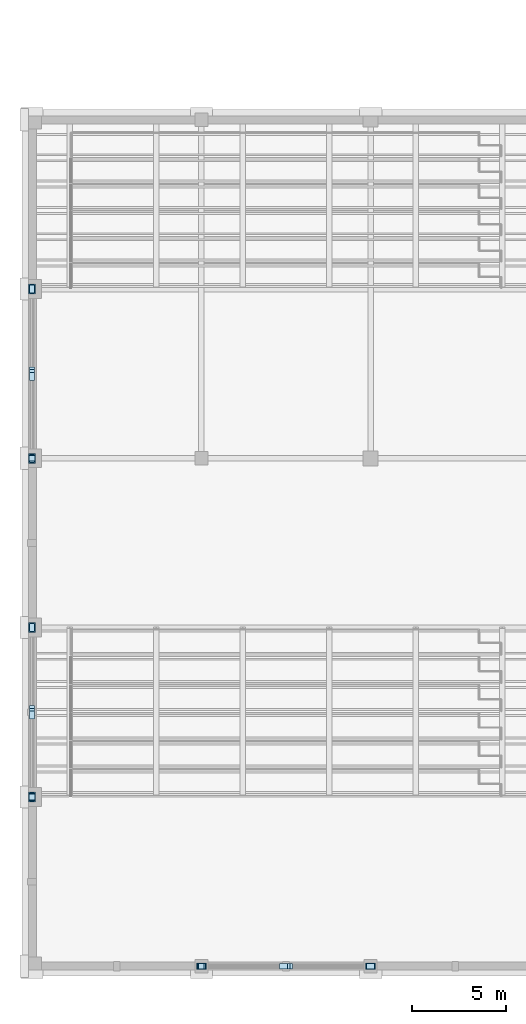
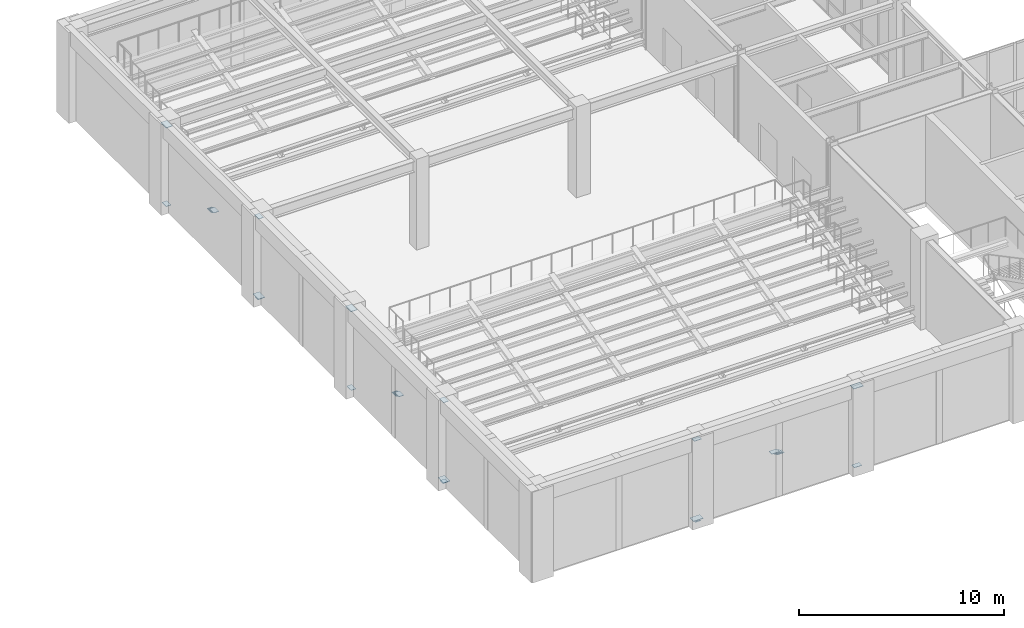
# One storey, part 58 of 77: 24 plates.
"""IFC4 building model written with IfcOpenShell, lengths in metres."""

from ifc_helpers import new_model, si_unit, direction, frame, origin, origin_2d, place, context, subcontext, project, spatial, rectangle, extrude, material, layer, layer_set, type_object, element, save


model = new_model("IFC4")

# Units and contexts
model_context = context("Model", 3, precision=1e-05, world=origin(), true_north=direction((0.0, 1.0)))
body_context = subcontext(model_context, "Body", "Model", "MODEL_VIEW")
ifc_project = project(units=[si_unit("LENGTHUNIT", "METRE"), si_unit("AREAUNIT", "SQUARE_METRE"), si_unit("VOLUMEUNIT", "CUBIC_METRE"), si_unit("PLANEANGLEUNIT", "RADIAN"), si_unit("MASSUNIT", "GRAM", prefix="KILO")], contexts=[model_context])

# Site, building, storey
site_placement = place(None, origin())
site = spatial("IfcSite", under=ifc_project, at=site_placement, CompositionType="ELEMENT")
building_placement = place(site_placement, origin())
building = spatial("IfcBuilding", under=site, at=building_placement, Name="Lykobir Media Centre", CompositionType="ELEMENT")
storey_placement = place(building_placement, origin())
storey = spatial("IfcBuildingStorey", under=building, at=storey_placement, Name="L00", CompositionType="ELEMENT", Elevation=0.0)

# Plates
ifc_material = material(Name="Steel S355", Category="steel")
ifc_layer_1 = layer(ifc_material, 0.01611328125, Name="Steel S355")
ifc_layer_set_1 = layer_set([ifc_layer_1], Name="Steel S355")
plate_type_1 = type_object("IfcPlateType", Name="CP-280", PredefinedType="SHEET", material=ifc_layer_set_1)
for number, where, z_axis, x_axis, name in (
    (1, (0.0, 9.0, 0.001953125), (0.0, 0.0, 1.0), (0.0, 1.0, 0.0), "Structural plate PLT-L00-0000-0090-0000"),
    (2, (0.0, 27.0, 0.001953125), (0.0, 0.0, 1.0), (0.0, 1.0, 0.0), "Structural plate PLT-L00-0000-0270-0000"),
    (3, (9.0, 0.0, 0.001953125), (0.0, 0.0, 1.0), (1.0, 0.0, 0.0), "Structural plate PLT-L00-0090-0000-0000"),
):
    element("IfcPlate", number, at=place(storey_placement, frame(where, z_axis=z_axis, x_axis=x_axis)), inside=storey, type_object=plate_type_1, Name=name, PredefinedType="SHEET", context=body_context, shape_type="SweptSolid", body=[
        extrude(rectangle(XDim=0.300048828125, YDim=0.300048828125, at=origin_2d()), origin(), (0.0, 0.0, 1.0), 0.01611328125),
    ])
ifc_layer_2 = layer(ifc_material, 0.02001953125, Name="Steel S355")
ifc_layer_set_2 = layer_set([ifc_layer_2], Name="Steel S355")
plate_type_2 = type_object("IfcPlateType", Name="GP-420", PredefinedType="USERDEFINED", material=ifc_layer_set_2)
for number, where, z_axis, x_axis, name in (
    (4, (0.0, 13.5, 2.469970703125), (0.0, 0.0, 1.0), (0.0, 1.0, 0.0), "Structural plate PLT-L00-0000-0135-0025"),
    (5, (0.0, 18.0, 0.110107421875), (0.0, 0.0, 1.0), (0.0, 1.0, 0.0), "Structural plate PLT-L00-0000-0180-0001"),
    (6, (0.0, 13.6416015625, 2.395751953125), (0.0, 0.0, 1.0), (0.0, 1.0, 0.0), "Structural plate PLT-L00-0000-0136-0024"),
    (7, (0.0, 13.3583984375, 2.544189453125), (0.0, 0.0, 1.0), (0.0, 1.0, 0.0), "Structural plate PLT-L00-0000-0134-0026"),
    (8, (0.0, 9.0, 4.830078125), (0.0, 0.0, 1.0), (0.0, 1.0, 0.0), "Structural plate PLT-L00-0000-0090-0048"),
    (9, (0.0, 31.5, 2.469970703125), (0.0, 0.0, 1.0), (0.0, 1.0, 0.0), "Structural plate PLT-L00-0000-0315-0025"),
    (10, (0.0, 36.0, 0.110107421875), (0.0, 0.0, 1.0), (0.0, 1.0, 0.0), "Structural plate PLT-L00-0000-0360-0001"),
    (11, (0.0, 31.6416015625, 2.395751953125), (0.0, 0.0, 1.0), (0.0, 1.0, 0.0), "Structural plate PLT-L00-0000-0316-0024"),
    (12, (0.0, 31.3583984375, 2.544189453125), (0.0, 0.0, 1.0), (0.0, 1.0, 0.0), "Structural plate PLT-L00-0000-0314-0026"),
    (13, (0.0, 27.0, 4.830078125), (0.0, 0.0, 1.0), (0.0, 1.0, 0.0), "Structural plate PLT-L00-0000-0270-0048"),
    (14, (13.5, 0.0, 2.469970703125), (0.0, 0.0, 1.0), (1.0, 0.0, 0.0), "Structural plate PLT-L00-0135-0000-0025"),
    (15, (18.0, 0.0, 0.110107421875), (0.0, 0.0, 1.0), (1.0, 0.0, 0.0), "Structural plate PLT-L00-0180-0000-0001"),
    (16, (13.6416015625, 0.0, 2.395751953125), (0.0, 0.0, 1.0), (1.0, 0.0, 0.0), "Structural plate PLT-L00-0136-0000-0024"),
    (17, (13.3583984375, 0.0, 2.544189453125), (0.0, 0.0, 1.0), (1.0, 0.0, 0.0), "Structural plate PLT-L00-0134-0000-0026"),
    (18, (9.0, 0.0, 4.830078125), (0.0, 0.0, 1.0), (1.0, 0.0, 0.0), "Structural plate PLT-L00-0090-0000-0048"),
):
    element("IfcPlate", number, at=place(storey_placement, frame(where, z_axis=z_axis, x_axis=x_axis)), inside=storey, type_object=plate_type_2, Name=name, ObjectType="GUSSET_PLATE", PredefinedType="USERDEFINED", context=body_context, shape_type="SweptSolid", body=[
        extrude(rectangle(XDim=0.419921875, YDim=0.280029296875, at=origin_2d()), origin(), (0.0, 0.0, 1.0), 0.02001953125),
    ])
ifc_layer_3 = layer(ifc_material, 0.028076171875, Name="Steel S355")
ifc_layer_set_3 = layer_set([ifc_layer_3], Name="Steel S355")
plate_type_3 = type_object("IfcPlateType", Name="GP-540", PredefinedType="USERDEFINED", material=ifc_layer_set_3)
for number, where, z_axis, x_axis, name in (
    (19, (0.0, 9.0, 0.10595703125), (0.0, 0.0, 1.0), (0.0, 1.0, 0.0), "Structural plate PLT-L00-0000-0090-0001"),
    (20, (0.0, 18.0, 4.826171875), (0.0, 0.0, 1.0), (0.0, 1.0, 0.0), "Structural plate PLT-L00-0000-0180-0048"),
    (21, (0.0, 27.0, 0.10595703125), (0.0, 0.0, 1.0), (0.0, 1.0, 0.0), "Structural plate PLT-L00-0000-0270-0001"),
    (22, (0.0, 36.0, 4.826171875), (0.0, 0.0, 1.0), (0.0, 1.0, 0.0), "Structural plate PLT-L00-0000-0360-0048"),
    (23, (9.0, 0.0, 0.10595703125), (0.0, 0.0, 1.0), (1.0, 0.0, 0.0), "Structural plate PLT-L00-0090-0000-0001"),
    (24, (18.0, 0.0, 4.826171875), (0.0, 0.0, 1.0), (1.0, 0.0, 0.0), "Structural plate PLT-L00-0180-0000-0048"),
):
    element("IfcPlate", number, at=place(storey_placement, frame(where, z_axis=z_axis, x_axis=x_axis)), inside=storey, type_object=plate_type_3, Name=name, ObjectType="GUSSET_PLATE", PredefinedType="USERDEFINED", context=body_context, shape_type="SweptSolid", body=[
        extrude(rectangle(XDim=0.5400390625, YDim=0.360107421875, at=origin_2d()), origin(), (0.0, 0.0, 1.0), 0.028076171875),
    ])

save(model, "model.ifc")
